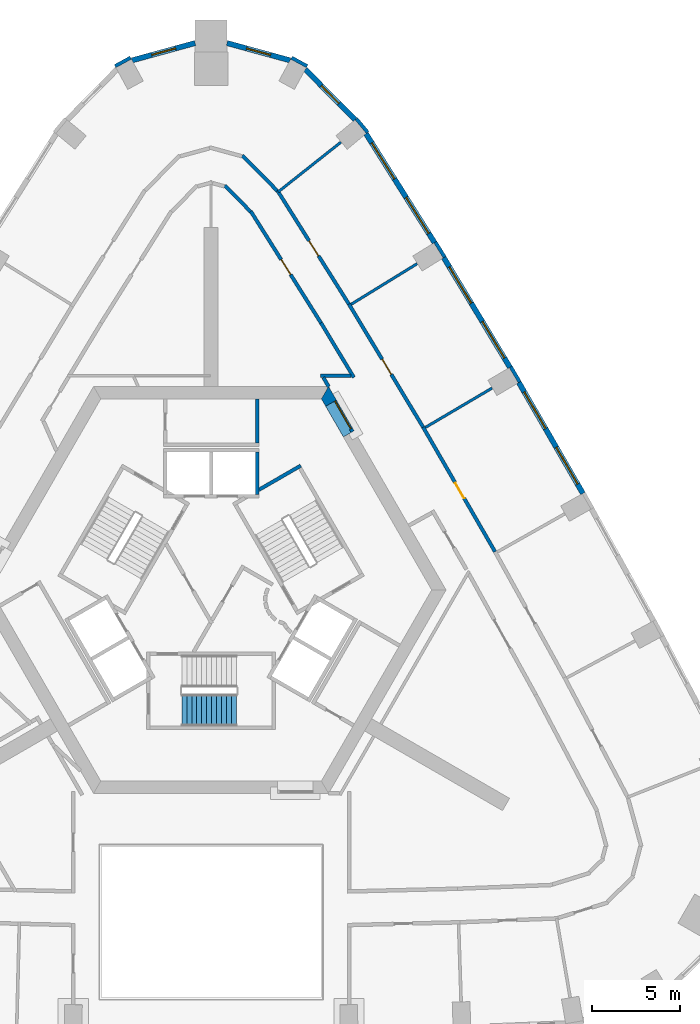
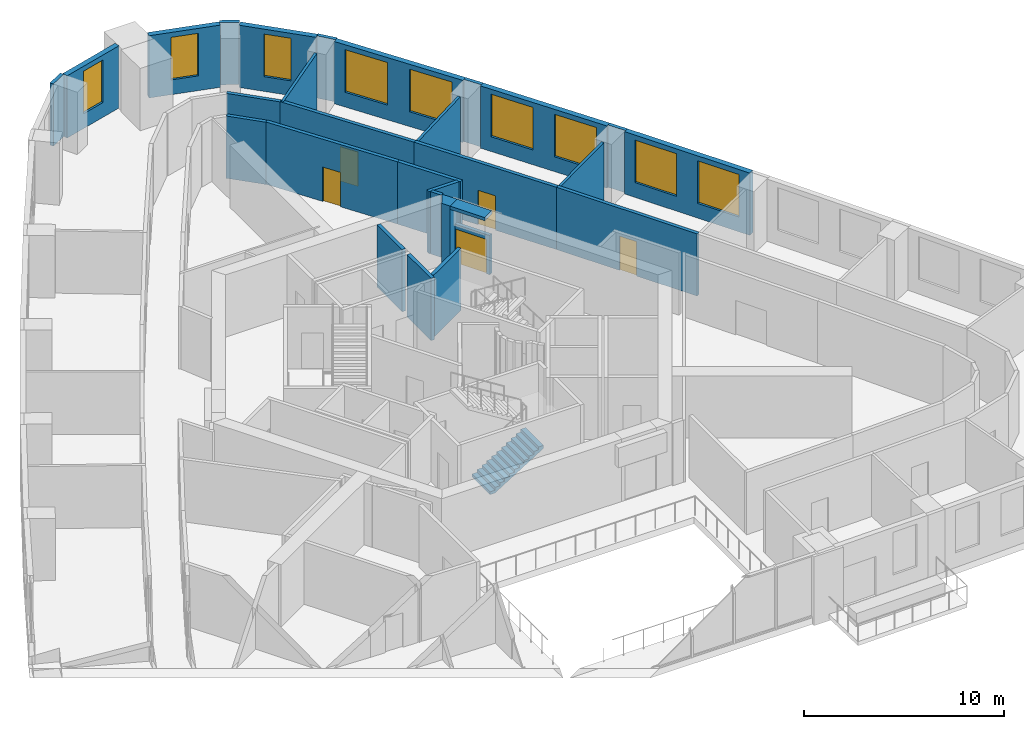
# One storey, part 9 of 11: 29 walls, 9 windows, 5 doors, 1 stair flight, 14 openings, 1 element without a shape of its own.
"""IFC4 building model written with IfcOpenShell, lengths in metres."""

from ifc_helpers import new_model, si_unit, direction, frame, frame_2d, origin, place, context, subcontext, project, spatial, polyline, rectangle, outline, extrude, material, layer, layer_set, type_object, element, fill, aggregate, save


model = new_model("IFC4")

# Units and contexts
model_context = context("Model", 3, precision=1e-05, world=origin(), true_north=direction((0.0, 1.0)))
body_context = subcontext(model_context, "Body", "Model", "MODEL_VIEW")
ifc_project = project(units=[si_unit("LENGTHUNIT", "METRE"), si_unit("AREAUNIT", "SQUARE_METRE"), si_unit("VOLUMEUNIT", "CUBIC_METRE"), si_unit("PLANEANGLEUNIT", "RADIAN"), si_unit("MASSUNIT", "GRAM", prefix="KILO")], contexts=[model_context])

# Site, building, storey
site_placement = place(None, origin())
site = spatial("IfcSite", under=ifc_project, at=site_placement, CompositionType="ELEMENT")
building_placement = place(site_placement, origin())
building = spatial("IfcBuilding", under=site, at=building_placement, Name="Entoto Arch Interchange Tower", CompositionType="ELEMENT")
storey_placement = place(building_placement, frame((0.0, 0.0, 206.60009765625)))
storey = spatial("IfcBuildingStorey", under=building, at=storey_placement, Name="L46", CompositionType="ELEMENT", Elevation=206.60009765625)

# Wall, opening, door
ifc_material_1 = material(Name="Reinforced concrete C40/50", Category="concrete")
ifc_layer_1 = layer(ifc_material_1, 0.199951171875)
ifc_layer_set_1 = layer_set([ifc_layer_1], Name="Reinforced concrete C40/50")
wall_type_1 = type_object("IfcWallType", Name="CORE GAP INFILL WALL", PredefinedType="PARTITIONING", material=ifc_layer_set_1)
wall_1_placement = place(storey_placement, frame((7.9970703125, 11.447998046875, 0.0), z_axis=(0.0, 0.0, 1.0), x_axis=(-0.50002537861, 0.866010750942, 0.0)))
wall_1 = element("IfcWall", 1, at=wall_1_placement, inside=storey, type_object=wall_type_1, Name="wall:L46:gap2", PredefinedType="PARTITIONING", context=body_context, shape_type="SweptSolid", body=[
    extrude(rectangle(XDim=2.0, YDim=0.199951171875, at=frame_2d((1.0, 0.0))), origin(), (0.0, 0.0, 1.0), 2.39990234375),
])
opening_1_placement = place(wall_1_placement, frame((0.18994140625, 0.0, 0.0)))
opening_1 = element("IfcOpeningElement", 2, at=opening_1_placement, cuts=wall_1, Name="Opening L46-D92", PredefinedType="OPENING", context=body_context, shape_type="SweptSolid", body=[
    extrude(rectangle(XDim=1.800048828125, YDim=2.10009765625, at=frame_2d((0.89990234375, 1.050048828125))), frame((0.0, 0.10986328125, 0.0), z_axis=(0.0, -1.0, 0.0), x_axis=(1.0, 0.0, 0.0)), (0.0, 0.0, 1.0), 0.219970703125),
])
ifc_material_2 = material(Name="Fire-rated Steel S235 door and frame", Category="steel")
door_type_1 = type_object("IfcDoorType", Name="DOOR FD-18 1800x2100", OperationType="DOUBLE_DOOR_SINGLE_SWING", PredefinedType="DOOR", material=ifc_material_2)
door_1_placement = place(opening_1_placement, origin())
door_1 = element("IfcDoor", 3, at=door_1_placement, inside=storey, type_object=door_type_1, Name="door:L46:gap2", OperationType="DOUBLE_DOOR_SINGLE_SWING", OverallHeight=2.10009765625, OverallWidth=1.800048828125, PredefinedType="DOOR", context=body_context, shape_type="SweptSolid", body=[
    extrude(rectangle(XDim=1.800048828125, YDim=2.10009765625, at=frame_2d((0.89990234375, 1.050048828125))), frame((0.0, 0.02490234375, 0.0), z_axis=(0.0, -1.0, 0.0), x_axis=(1.0, 0.0, 0.0)), (0.0, 0.0, 1.0), 0.050048828125),
])
fill(opening_1, door_1)

# Walls
ifc_material_3 = material(Name="Concrete C50/60", Category="concrete")
ifc_layer_2 = layer(ifc_material_3, 0.699951171875)
ifc_layer_set_2 = layer_set([ifc_layer_2], Name="Concrete C50/60")
wall_type_2 = type_object("IfcWallType", Name="Core wall 700 C50/60", PredefinedType="SHEAR", material=ifc_layer_set_2)
wall_2_placement = place(storey_placement, frame((0.0, 0.0, -0.400146484375)))
element("IfcWall", 4, at=wall_2_placement, inside=storey, type_object=wall_type_2, Name="Core wall NE L46", PredefinedType="SHEAR", context=body_context, shape_type="SweptSolid", body=[
    extrude(outline(polyline([(6.47802734375, 12.8798828125), (7.083984375, 13.22998046875), (6.639892578125, 14.0), (6.235107421875, 13.300048828125), (6.47802734375, 12.8798828125)])), origin(), (0.0, 0.0, 1.0), 4.199951171875),
])
wall_3_placement = place(storey_placement, frame((0.0, 0.0, 3.599853515625)))
element("IfcWall", 5, at=wall_3_placement, inside=storey, type_object=wall_type_2, Name="Core wall lintel NE L46", PredefinedType="SHEAR", context=body_context, shape_type="SweptSolid", body=[
    extrude(outline(polyline([(7.083984375, 13.22998046875), (6.47802734375, 12.8798828125), (7.47802734375, 11.14794921875), (8.083984375, 11.498046875), (7.083984375, 13.22998046875)])), origin(), (0.0, 0.0, 1.0), 0.199951171875),
])
ifc_material_4 = material(Name="Concrete C40/50", Category="concrete")
ifc_layer_3 = layer(ifc_material_4, 0.199951171875)
ifc_layer_set_3 = layer_set([ifc_layer_3], Name="Concrete C40/50")
wall_type_3 = type_object("IfcWallType", Name="LIFT SHAFT WALL 200", PredefinedType="STANDARD", material=ifc_layer_set_3)
wall_4_placement = place(storey_placement, frame((2.60009765625, 7.89990234375, 0.0), z_axis=(0.0, 0.0, 1.0), x_axis=(0.0, 1.0, 0.0)))
element("IfcWall", 6, at=wall_4_placement, inside=storey, type_object=wall_type_3, Name="Shaft wall N1 cross 1", PredefinedType="STANDARD", context=body_context, shape_type="SweptSolid", body=[
    extrude(rectangle(XDim=2.400146484375, YDim=0.199951171875, at=frame_2d((1.2001953125, 0.0))), origin(), (0.0, 0.0, 1.0), 3.7998046875),
])
ifc_material_5 = material(Name="Gypsum board partition on steel studs", Category="steel")
ifc_layer_4 = layer(ifc_material_5, 0.14990234375)
ifc_layer_set_4 = layer_set([ifc_layer_4], Name="Gypsum board partition on steel studs")
wall_type_4 = type_object("IfcWallType", Name="PARTITION 150", PredefinedType="PARTITIONING", material=ifc_layer_set_4)
wall_5_placement = place(storey_placement, frame((12.111083984375, 11.68408203125, 0.0), z_axis=(0.0, 0.0, 1.0), x_axis=(0.861290233547, 0.508113307833, 0.0)))
element("IfcWall", 7, at=wall_5_placement, inside=storey, type_object=wall_type_4, Name="wall:L46:p114", PredefinedType="PARTITIONING", context=body_context, shape_type="SweptSolid", body=[
    extrude(rectangle(XDim=4.380615234375, YDim=0.14990234375, at=frame_2d((2.1904296875, 0.0))), origin(), (0.0, 0.0, 1.0), 3.7998046875),
])
wall_6_placement = place(storey_placement, frame((7.916015625, 18.64404296875, 0.0), z_axis=(0.0, 0.0, 1.0), x_axis=(0.851543444049, 0.524284047914, 0.0)))
element("IfcWall", 8, at=wall_6_placement, inside=storey, type_object=wall_type_4, Name="wall:L46:p115", PredefinedType="PARTITIONING", context=body_context, shape_type="SweptSolid", body=[
    extrude(rectangle(XDim=4.379150390625, YDim=0.14990234375, at=frame_2d((2.189453125, 0.0))), origin(), (0.0, 0.0, 1.0), 3.7998046875),
])
wall_7_placement = place(storey_placement, frame((3.797119140625, 25.0029296875, 0.0), z_axis=(0.0, 0.0, 1.0), x_axis=(0.783893371826, 0.620895467536, 0.0)))
element("IfcWall", 9, at=wall_7_placement, inside=storey, type_object=wall_type_4, Name="wall:L46:p116", PredefinedType="PARTITIONING", context=body_context, shape_type="SweptSolid", body=[
    extrude(rectangle(XDim=4.514404296875, YDim=0.14990234375, at=frame_2d((2.25732421875, 0.0))), origin(), (0.0, 0.0, 1.0), 3.7998046875),
])
ifc_layer_5 = layer(ifc_material_5, 0.199951171875)
ifc_layer_set_5 = layer_set([ifc_layer_5], Name="Gypsum board partition on steel studs")
wall_type_5 = type_object("IfcWallType", Name="PARTITION 200", PredefinedType="PARTITIONING", material=ifc_layer_set_5)
wall_8_placement = place(storey_placement, frame((6.64892578125, 13.988037109375, 0.0), z_axis=(0.0, 0.0, 1.0), x_axis=(-0.499908430952, 0.866078264744, 0.0)))
element("IfcWall", 10, at=wall_8_placement, inside=storey, type_object=wall_type_5, Name="wall:L46:p005", PredefinedType="PARTITIONING", context=body_context, shape_type="SweptSolid", body=[
    extrude(rectangle(XDim=0.60595703125, YDim=0.199951171875, at=frame_2d((0.302978515625, 0.0))), origin(), (0.0, 0.0, 1.0), 3.7998046875),
])
wall_9_placement = place(storey_placement, frame((6.196044921875, 14.60009765625, 0.0), z_axis=(0.0, 0.0, 1.0), x_axis=(1.0, 0.0, 0.0)))
element("IfcWall", 11, at=wall_9_placement, inside=storey, type_object=wall_type_5, Name="wall:L46:p006", PredefinedType="PARTITIONING", context=body_context, shape_type="SweptSolid", body=[
    extrude(rectangle(XDim=1.721923828125, YDim=0.199951171875, at=frame_2d((0.86083984375, 0.0))), origin(), (0.0, 0.0, 1.0), 3.7998046875),
])
wall_10_placement = place(storey_placement, frame((8.070068359375, 14.513916015625, 0.0), z_axis=(0.0, 0.0, 1.0), x_axis=(-0.51624118739, 0.856443247648, 0.0)))
element("IfcWall", 12, at=wall_10_placement, inside=storey, type_object=wall_type_5, Name="wall:L46:p007", PredefinedType="PARTITIONING", context=body_context, shape_type="SweptSolid", body=[
    extrude(rectangle(XDim=3.597412109375, YDim=0.199951171875, at=frame_2d((1.798828125, 0.0))), origin(), (0.0, 0.0, 1.0), 3.7998046875),
])

# Wall, opening, door
wall_11_placement = place(storey_placement, frame((6.212890625, 17.594970703125, 0.0), z_axis=(0.0, 0.0, 1.0), x_axis=(-0.532527247309, 0.846412860768, 0.0)))
wall_11 = element("IfcWall", 13, at=wall_11_placement, inside=storey, type_object=wall_type_5, Name="wall:L46:p008", PredefinedType="PARTITIONING", context=body_context, shape_type="SweptSolid", body=[
    extrude(rectangle(XDim=7.448974609375, YDim=0.199951171875, at=frame_2d((3.724609375, 0.0))), origin(), (0.0, 0.0, 1.0), 3.7998046875),
])
opening_2_placement = place(wall_11_placement, frame((3.22509765625, 0.0, 0.0)))
opening_2 = element("IfcOpeningElement", 14, at=opening_2_placement, cuts=wall_11, Name="Opening L46-D17", PredefinedType="OPENING", context=body_context, shape_type="SweptSolid", body=[
    extrude(rectangle(XDim=1.0, YDim=2.10009765625, at=frame_2d((0.5, 1.050048828125))), frame((0.0, 0.10986328125, 0.0), z_axis=(0.0, -1.0, 0.0), x_axis=(1.0, 0.0, 0.0)), (0.0, 0.0, 1.0), 0.219970703125),
])
ifc_material_6 = material(Name="Timber door leaf in Steel S235 frame", Category="steel")
door_type_2 = type_object("IfcDoorType", Name="DOOR DS-10 1000x2100", OperationType="SINGLE_SWING_LEFT", PredefinedType="DOOR", material=ifc_material_6)
door_2_placement = place(opening_2_placement, origin())
door_2 = element("IfcDoor", 15, at=door_2_placement, inside=storey, type_object=door_type_2, Name="door:L46:17", OperationType="SINGLE_SWING_LEFT", OverallHeight=2.10009765625, OverallWidth=1.0, PredefinedType="DOOR", context=body_context, shape_type="SweptSolid", body=[
    extrude(rectangle(XDim=1.0, YDim=2.10009765625, at=frame_2d((0.5, 1.050048828125))), frame((0.0, 0.02490234375, 0.0), z_axis=(0.0, -1.0, 0.0), x_axis=(1.0, 0.0, 0.0)), (0.0, 0.0, 1.0), 0.050048828125),
])
fill(opening_2, door_2)

# Wall
wall_12_placement = place(storey_placement, frame((2.22900390625, 23.886962890625, 0.0), z_axis=(0.0, 0.0, 1.0), x_axis=(-0.702245482258, 0.711934886523, 0.0)))
element("IfcWall", 16, at=wall_12_placement, inside=storey, type_object=wall_type_5, Name="wall:L46:p009", PredefinedType="PARTITIONING", context=body_context, shape_type="SweptSolid", body=[
    extrude(rectangle(XDim=2.066162109375, YDim=0.199951171875, at=frame_2d((1.033203125, 0.0))), origin(), (0.0, 0.0, 1.0), 3.7998046875),
])

# Wall, opening, door
wall_13_placement = place(storey_placement, frame((11.987060546875, 11.697998046875, 0.0), z_axis=(0.0, 0.0, 1.0), x_axis=(0.500075329254, -0.865981908051, 0.0)))
wall_13 = element("IfcWall", 17, at=wall_13_placement, inside=storey, type_object=wall_type_5, Name="wall:L46:p045", PredefinedType="PARTITIONING", context=body_context, shape_type="SweptSolid", body=[
    extrude(rectangle(XDim=8.124755859375, YDim=0.199951171875, at=frame_2d((4.0625, 0.0))), origin(), (0.0, 0.0, 1.0), 3.7998046875),
])
opening_3_placement = place(wall_13_placement, frame((3.636962890625, 0.0, 0.0)))
opening_3 = element("IfcOpeningElement", 18, at=opening_3_placement, cuts=wall_13, Name="Opening L46-D06", PredefinedType="OPENING", context=body_context, shape_type="SweptSolid", body=[
    extrude(rectangle(XDim=1.0, YDim=2.10009765625, at=frame_2d((0.5, 1.050048828125))), frame((0.0, 0.10986328125, 0.0), z_axis=(0.0, -1.0, 0.0), x_axis=(1.0, 0.0, 0.0)), (0.0, 0.0, 1.0), 0.219970703125),
])
door_3_placement = place(opening_3_placement, origin())
door_3 = element("IfcDoor", 19, at=door_3_placement, inside=storey, type_object=door_type_2, Name="door:L46:06", OperationType="SINGLE_SWING_RIGHT", OverallHeight=2.10009765625, OverallWidth=1.0, PredefinedType="DOOR", context=body_context, shape_type="SweptSolid", body=[
    extrude(rectangle(XDim=1.0, YDim=2.10009765625, at=frame_2d((0.5, 1.050048828125))), frame((0.0, 0.02490234375, 0.0), z_axis=(0.0, -1.0, 0.0), x_axis=(1.0, 0.0, 0.0)), (0.0, 0.0, 1.0), 0.050048828125),
])
fill(opening_3, door_3)

wall_14_placement = place(storey_placement, frame((7.7919921875, 18.655029296875, 0.0), z_axis=(0.0, 0.0, 1.0), x_axis=(0.516293428925, -0.856411755669, 0.0)))
wall_14 = element("IfcWall", 20, at=wall_14_placement, inside=storey, type_object=wall_type_5, Name="wall:L46:p046", PredefinedType="PARTITIONING", context=body_context, shape_type="SweptSolid", body=[
    extrude(rectangle(XDim=8.12353515625, YDim=0.199951171875, at=frame_2d((4.061767578125, 0.0))), origin(), (0.0, 0.0, 1.0), 3.7998046875),
])
opening_4_placement = place(wall_14_placement, frame((3.636962890625, 0.0, 0.0)))
opening_4 = element("IfcOpeningElement", 21, at=opening_4_placement, cuts=wall_14, Name="Opening L46-D07", PredefinedType="OPENING", context=body_context, shape_type="SweptSolid", body=[
    extrude(rectangle(XDim=1.0, YDim=2.10009765625, at=frame_2d((0.5, 1.050048828125))), frame((0.0, 0.10986328125, 0.0), z_axis=(0.0, -1.0, 0.0), x_axis=(1.0, 0.0, 0.0)), (0.0, 0.0, 1.0), 0.219970703125),
])
door_4_placement = place(opening_4_placement, origin())
door_4 = element("IfcDoor", 22, at=door_4_placement, inside=storey, type_object=door_type_2, Name="door:L46:07", OperationType="SINGLE_SWING_RIGHT", OverallHeight=2.10009765625, OverallWidth=1.0, PredefinedType="DOOR", context=body_context, shape_type="SweptSolid", body=[
    extrude(rectangle(XDim=1.0, YDim=2.10009765625, at=frame_2d((0.5, 1.050048828125))), frame((0.0, 0.02490234375, 0.0), z_axis=(0.0, -1.0, 0.0), x_axis=(1.0, 0.0, 0.0)), (0.0, 0.0, 1.0), 0.050048828125),
])
fill(opening_4, door_4)

wall_15_placement = place(storey_placement, frame((3.743896484375, 25.0869140625, 0.0), z_axis=(0.0, 0.0, 1.0), x_axis=(0.532569549341, -0.846386244639, 0.0)))
wall_15 = element("IfcWall", 23, at=wall_15_placement, inside=storey, type_object=wall_type_5, Name="wall:L46:p047", PredefinedType="PARTITIONING", context=body_context, shape_type="SweptSolid", body=[
    extrude(rectangle(XDim=7.59912109375, YDim=0.199951171875, at=frame_2d((3.799560546875, 0.0))), origin(), (0.0, 0.0, 1.0), 3.7998046875),
])
opening_5_placement = place(wall_15_placement, frame((3.375, 0.0, 0.0)))
opening_5 = element("IfcOpeningElement", 24, at=opening_5_placement, cuts=wall_15, Name="Opening L46-D08", PredefinedType="OPENING", context=body_context, shape_type="SweptSolid", body=[
    extrude(rectangle(XDim=1.0, YDim=2.10009765625, at=frame_2d((0.5, 1.050048828125))), frame((0.0, 0.10986328125, 0.0), z_axis=(0.0, -1.0, 0.0), x_axis=(1.0, 0.0, 0.0)), (0.0, 0.0, 1.0), 0.219970703125),
])
door_5_placement = place(opening_5_placement, origin())
door_5 = element("IfcDoor", 25, at=door_5_placement, inside=storey, type_object=door_type_2, Name="door:L46:08", OperationType="SINGLE_SWING_LEFT", OverallHeight=2.10009765625, OverallWidth=1.0, PredefinedType="DOOR", context=body_context, shape_type="SweptSolid", body=[
    extrude(rectangle(XDim=1.0, YDim=2.10009765625, at=frame_2d((0.5, 1.050048828125))), frame((0.0, 0.02490234375, 0.0), z_axis=(0.0, -1.0, 0.0), x_axis=(1.0, 0.0, 0.0)), (0.0, 0.0, 1.0), 0.050048828125),
])
fill(opening_5, door_5)

# Walls
wall_16_placement = place(storey_placement, frame((1.77294921875, 27.055908203125, 0.0), z_axis=(0.0, 0.0, 1.0), x_axis=(0.702089218366, -0.712088989842, 0.0)))
element("IfcWall", 26, at=wall_16_placement, inside=storey, type_object=wall_type_5, Name="wall:L46:p052", PredefinedType="PARTITIONING", context=body_context, shape_type="SweptSolid", body=[
    extrude(rectangle(XDim=2.783203125, YDim=0.199951171875, at=frame_2d((1.3916015625, 0.0))), origin(), (0.0, 0.0, 1.0), 3.7998046875),
])
wall_17_placement = place(storey_placement, frame((2.60009765625, 13.300048828125, 0.0), z_axis=(0.0, 0.0, 1.0), x_axis=(0.0, -1.0, 0.0)))
element("IfcWall", 27, at=wall_17_placement, inside=storey, type_object=wall_type_5, Name="wall:L46:p067", PredefinedType="PARTITIONING", context=body_context, shape_type="SweptSolid", body=[
    extrude(rectangle(XDim=2.5, YDim=0.199951171875, at=frame_2d((1.25, 0.0))), origin(), (0.0, 0.0, 1.0), 3.7998046875),
])
ifc_layer_6 = layer(ifc_material_4, 0.199951171875)
ifc_layer_set_6 = layer_set([ifc_layer_6], Name="Concrete C40/50")
wall_type_6 = type_object("IfcWallType", Name="STAIR ENCLOSURE WALL 200", PredefinedType="STANDARD", material=ifc_layer_set_6)
wall_18_placement = place(storey_placement, frame((2.699951171875, 8.157958984375, 0.0), z_axis=(0.0, 0.0, 1.0), x_axis=(0.86611865017, 0.499838457731, 0.0)))
element("IfcWall", 28, at=wall_18_placement, inside=storey, type_object=wall_type_6, Name="Stair wall ST-NE far", PredefinedType="STANDARD", context=body_context, shape_type="SweptSolid", body=[
    extrude(rectangle(XDim=2.73291015625, YDim=0.199951171875, at=frame_2d((1.366455078125, 0.0))), origin(), (0.0, 0.0, 1.0), 3.7998046875),
])

# Wall, openings, windows
ifc_material_7 = material(Name="Welded tuff (ignimbrite) cladding, warm buff", Category="masonry")
ifc_layer_7 = layer(ifc_material_7, 0.300048828125)
ifc_layer_set_7 = layer_set([ifc_layer_7], Name="Welded tuff (ignimbrite) cladding, warm buff")
wall_type_7 = type_object("IfcWallType", Name="STONE INFILL WALL 300", PredefinedType="STANDARD", material=ifc_layer_set_7)
wall_19_placement = place(storey_placement, frame((21.01904296875, 7.955078125, 0.0), z_axis=(0.0, 0.0, 1.0), x_axis=(-0.500012402131, 0.866018243292, 0.0)))
wall_19 = element("IfcWall", 29, at=wall_19_placement, inside=storey, type_object=wall_type_7, Name="Facade wall NE-03 L46", PredefinedType="STANDARD", context=body_context, shape_type="SweptSolid", body=[
    extrude(rectangle(XDim=7.239990234375, YDim=0.300048828125, at=frame_2d((3.6201171875, 0.0))), origin(), (0.0, 0.0, 1.0), 3.7998046875),
])
opening_6_placement = place(wall_19_placement, frame((0.610107421875, 0.0, 0.89990234375)))
opening_6 = element("IfcOpeningElement", 30, at=opening_6_placement, cuts=wall_19, Name="Opening WO-A", PredefinedType="OPENING", context=body_context, shape_type="SweptSolid", body=[
    extrude(rectangle(XDim=2.39990234375, YDim=2.60009765625, at=frame_2d((1.199951171875, 1.300048828125))), frame((0.0, 0.16015625, 0.0), z_axis=(0.0, -1.0, 0.0), x_axis=(1.0, 0.0, 0.0)), (0.0, 0.0, 1.0), 0.320068359375),
])
opening_7_placement = place(wall_19_placement, frame((4.22998046875, 0.0, 0.89990234375)))
opening_7 = element("IfcOpeningElement", 31, at=opening_7_placement, cuts=wall_19, Name="Opening WO-A", PredefinedType="OPENING", context=body_context, shape_type="SweptSolid", body=[
    extrude(rectangle(XDim=2.39990234375, YDim=2.60009765625, at=frame_2d((1.199951171875, 1.300048828125))), frame((0.0, 0.16015625, 0.0), z_axis=(0.0, -1.0, 0.0), x_axis=(1.0, 0.0, 0.0)), (0.0, 0.0, 1.0), 0.320068359375),
])
ifc_material_8 = material(Name="Clear glass, low-e double glazed", Category="glass")
window_type_1 = type_object("IfcWindowType", Name="WINDOW WO-A 2400x2600", PartitioningType="DOUBLE_PANEL_VERTICAL", PredefinedType="WINDOW", material=ifc_material_8)
window_1_placement = place(opening_6_placement, origin())
window_1 = element("IfcWindow", 32, at=window_1_placement, inside=storey, type_object=window_type_1, Name="Window WO-A NE-03 L46", OverallHeight=2.60009765625, OverallWidth=2.39990234375, PartitioningType="SINGLE_PANEL", PredefinedType="WINDOW", context=body_context, shape_type="SweptSolid", body=[
    extrude(rectangle(XDim=2.39990234375, YDim=2.60009765625, at=frame_2d((1.199951171875, 1.300048828125))), frame((0.0, 0.030029296875, 0.0), z_axis=(0.0, -1.0, 0.0), x_axis=(1.0, 0.0, 0.0)), (0.0, 0.0, 1.0), 0.06005859375),
])
fill(opening_6, window_1)
window_2_placement = place(opening_7_placement, origin())
window_2 = element("IfcWindow", 33, at=window_2_placement, inside=storey, type_object=window_type_1, Name="Window WO-A NE-03 L46", OverallHeight=2.60009765625, OverallWidth=2.39990234375, PartitioningType="SINGLE_PANEL", PredefinedType="WINDOW", context=body_context, shape_type="SweptSolid", body=[
    extrude(rectangle(XDim=2.39990234375, YDim=2.60009765625, at=frame_2d((1.199951171875, 1.300048828125))), frame((0.0, 0.030029296875, 0.0), z_axis=(0.0, -1.0, 0.0), x_axis=(1.0, 0.0, 0.0)), (0.0, 0.0, 1.0), 0.06005859375),
])
fill(opening_7, window_2)

wall_20_placement = place(storey_placement, frame((16.89208984375, 15.083984375, 0.0), z_axis=(0.0, 0.0, 1.0), x_axis=(-0.516230553484, 0.856449657394, 0.0)))
wall_20 = element("IfcWall", 34, at=wall_20_placement, inside=storey, type_object=wall_type_7, Name="Facade wall NE-04 L46", PredefinedType="STANDARD", context=body_context, shape_type="SweptSolid", body=[
    extrude(rectangle(XDim=7.239013671875, YDim=0.300048828125, at=frame_2d((3.61962890625, 0.0))), origin(), (0.0, 0.0, 1.0), 3.7998046875),
])
opening_8_placement = place(wall_20_placement, frame((0.610107421875, 0.0, 0.89990234375)))
opening_8 = element("IfcOpeningElement", 35, at=opening_8_placement, cuts=wall_20, Name="Opening WO-A", PredefinedType="OPENING", context=body_context, shape_type="SweptSolid", body=[
    extrude(rectangle(XDim=2.39990234375, YDim=2.60009765625, at=frame_2d((1.199951171875, 1.300048828125))), frame((0.0, 0.16015625, 0.0), z_axis=(0.0, -1.0, 0.0), x_axis=(1.0, 0.0, 0.0)), (0.0, 0.0, 1.0), 0.320068359375),
])
opening_9_placement = place(wall_20_placement, frame((4.22900390625, 0.0, 0.89990234375)))
opening_9 = element("IfcOpeningElement", 36, at=opening_9_placement, cuts=wall_20, Name="Opening WO-A", PredefinedType="OPENING", context=body_context, shape_type="SweptSolid", body=[
    extrude(rectangle(XDim=2.39990234375, YDim=2.60009765625, at=frame_2d((1.199951171875, 1.300048828125))), frame((0.0, 0.16015625, 0.0), z_axis=(0.0, -1.0, 0.0), x_axis=(1.0, 0.0, 0.0)), (0.0, 0.0, 1.0), 0.320068359375),
])
window_3_placement = place(opening_8_placement, origin())
window_3 = element("IfcWindow", 37, at=window_3_placement, inside=storey, type_object=window_type_1, Name="Window WO-A NE-04 L46", OverallHeight=2.60009765625, OverallWidth=2.39990234375, PartitioningType="SINGLE_PANEL", PredefinedType="WINDOW", context=body_context, shape_type="SweptSolid", body=[
    extrude(rectangle(XDim=2.39990234375, YDim=2.60009765625, at=frame_2d((1.199951171875, 1.300048828125))), frame((0.0, 0.030029296875, 0.0), z_axis=(0.0, -1.0, 0.0), x_axis=(1.0, 0.0, 0.0)), (0.0, 0.0, 1.0), 0.06005859375),
])
fill(opening_8, window_3)
window_4_placement = place(opening_9_placement, origin())
window_4 = element("IfcWindow", 38, at=window_4_placement, inside=storey, type_object=window_type_1, Name="Window WO-A NE-04 L46", OverallHeight=2.60009765625, OverallWidth=2.39990234375, PartitioningType="SINGLE_PANEL", PredefinedType="WINDOW", context=body_context, shape_type="SweptSolid", body=[
    extrude(rectangle(XDim=2.39990234375, YDim=2.60009765625, at=frame_2d((1.199951171875, 1.300048828125))), frame((0.0, 0.030029296875, 0.0), z_axis=(0.0, -1.0, 0.0), x_axis=(1.0, 0.0, 0.0)), (0.0, 0.0, 1.0), 0.06005859375),
])
fill(opening_9, window_4)

wall_21_placement = place(storey_placement, frame((12.632080078125, 22.134033203125, 0.0), z_axis=(0.0, 0.0, 1.0), x_axis=(-0.532522107002, 0.84641609481, 0.0)))
wall_21 = element("IfcWall", 39, at=wall_21_placement, inside=storey, type_object=wall_type_7, Name="Facade wall NE-05 L46", PredefinedType="STANDARD", context=body_context, shape_type="SweptSolid", body=[
    extrude(rectangle(XDim=7.27294921875, YDim=0.300048828125, at=frame_2d((3.636474609375, 0.0))), origin(), (0.0, 0.0, 1.0), 3.7998046875),
])
opening_10_placement = place(wall_21_placement, frame((0.617919921875, 0.0, 0.89990234375)))
opening_10 = element("IfcOpeningElement", 40, at=opening_10_placement, cuts=wall_21, Name="Opening WO-A", PredefinedType="OPENING", context=body_context, shape_type="SweptSolid", body=[
    extrude(rectangle(XDim=2.39990234375, YDim=2.60009765625, at=frame_2d((1.199951171875, 1.300048828125))), frame((0.0, 0.16015625, 0.0), z_axis=(0.0, -1.0, 0.0), x_axis=(1.0, 0.0, 0.0)), (0.0, 0.0, 1.0), 0.320068359375),
])
opening_11_placement = place(wall_21_placement, frame((4.2548828125, 0.0, 0.89990234375)))
opening_11 = element("IfcOpeningElement", 41, at=opening_11_placement, cuts=wall_21, Name="Opening WO-A", PredefinedType="OPENING", context=body_context, shape_type="SweptSolid", body=[
    extrude(rectangle(XDim=2.39990234375, YDim=2.60009765625, at=frame_2d((1.199951171875, 1.300048828125))), frame((0.0, 0.16015625, 0.0), z_axis=(0.0, -1.0, 0.0), x_axis=(1.0, 0.0, 0.0)), (0.0, 0.0, 1.0), 0.320068359375),
])
window_5_placement = place(opening_10_placement, origin())
window_5 = element("IfcWindow", 42, at=window_5_placement, inside=storey, type_object=window_type_1, Name="Window WO-A NE-05 L46", OverallHeight=2.60009765625, OverallWidth=2.39990234375, PartitioningType="SINGLE_PANEL", PredefinedType="WINDOW", context=body_context, shape_type="SweptSolid", body=[
    extrude(rectangle(XDim=2.39990234375, YDim=2.60009765625, at=frame_2d((1.199951171875, 1.300048828125))), frame((0.0, 0.030029296875, 0.0), z_axis=(0.0, -1.0, 0.0), x_axis=(1.0, 0.0, 0.0)), (0.0, 0.0, 1.0), 0.06005859375),
])
fill(opening_10, window_5)
window_6_placement = place(opening_11_placement, origin())
window_6 = element("IfcWindow", 43, at=window_6_placement, inside=storey, type_object=window_type_1, Name="Window WO-A NE-05 L46", OverallHeight=2.60009765625, OverallWidth=2.39990234375, PartitioningType="SINGLE_PANEL", PredefinedType="WINDOW", context=body_context, shape_type="SweptSolid", body=[
    extrude(rectangle(XDim=2.39990234375, YDim=2.60009765625, at=frame_2d((1.199951171875, 1.300048828125))), frame((0.0, 0.030029296875, 0.0), z_axis=(0.0, -1.0, 0.0), x_axis=(1.0, 0.0, 0.0)), (0.0, 0.0, 1.0), 0.06005859375),
])
fill(opening_11, window_6)

# Wall, opening, window
wall_22_placement = place(storey_placement, frame((8.138916015625, 29.072998046875, 0.0), z_axis=(0.0, 0.0, 1.0), x_axis=(-0.70209072612, 0.712087503258, 0.0)))
wall_22 = element("IfcWall", 44, at=wall_22_placement, inside=storey, type_object=wall_type_7, Name="Facade wall N-01 L46", PredefinedType="STANDARD", context=body_context, shape_type="SweptSolid", body=[
    extrude(rectangle(XDim=4.005126953125, YDim=0.300048828125, at=frame_2d((2.00244140625, 0.0))), origin(), (0.0, 0.0, 1.0), 3.7998046875),
])
opening_12_placement = place(wall_22_placement, frame((1.302978515625, 0.0, 0.89990234375)))
opening_12 = element("IfcOpeningElement", 45, at=opening_12_placement, cuts=wall_22, Name="Opening WO-B", PredefinedType="OPENING", context=body_context, shape_type="SweptSolid", body=[
    extrude(rectangle(XDim=1.39990234375, YDim=2.60009765625, at=frame_2d((0.699951171875, 1.300048828125))), frame((0.0, 0.16015625, 0.0), z_axis=(0.0, -1.0, 0.0), x_axis=(1.0, 0.0, 0.0)), (0.0, 0.0, 1.0), 0.320068359375),
])
window_type_2 = type_object("IfcWindowType", Name="WINDOW WO-B 1400x2600", PartitioningType="DOUBLE_PANEL_VERTICAL", PredefinedType="WINDOW", material=ifc_material_8)
window_7_placement = place(opening_12_placement, origin())
window_7 = element("IfcWindow", 46, at=window_7_placement, inside=storey, type_object=window_type_2, Name="Window WO-B N-01 L46", OverallHeight=2.60009765625, OverallWidth=1.39990234375, PartitioningType="SINGLE_PANEL", PredefinedType="WINDOW", context=body_context, shape_type="SweptSolid", body=[
    extrude(rectangle(XDim=1.39990234375, YDim=2.60009765625, at=frame_2d((0.699951171875, 1.300048828125))), frame((0.0, 0.030029296875, 0.0), z_axis=(0.0, -1.0, 0.0), x_axis=(1.0, 0.0, 0.0)), (0.0, 0.0, 1.0), 0.06005859375),
])
fill(opening_12, window_7)

wall_23_placement = place(storey_placement, frame((4.468017578125, 32.43408203125, 0.0), z_axis=(0.0, 0.0, 1.0), x_axis=(-0.964377639434, 0.264529334026, 0.0)))
wall_23 = element("IfcWall", 47, at=wall_23_placement, inside=storey, type_object=wall_type_7, Name="Facade wall N-02 L46", PredefinedType="STANDARD", context=body_context, shape_type="SweptSolid", body=[
    extrude(rectangle(XDim=3.700927734375, YDim=0.300048828125, at=frame_2d((1.8505859375, 0.0))), origin(), (0.0, 0.0, 1.0), 3.7998046875),
])
opening_13_placement = place(wall_23_placement, frame((1.14990234375, 0.0, 0.89990234375)))
opening_13 = element("IfcOpeningElement", 48, at=opening_13_placement, cuts=wall_23, Name="Opening WO-B", PredefinedType="OPENING", context=body_context, shape_type="SweptSolid", body=[
    extrude(rectangle(XDim=1.39990234375, YDim=2.60009765625, at=frame_2d((0.699951171875, 1.300048828125))), frame((0.0, 0.16015625, 0.0), z_axis=(0.0, -1.0, 0.0), x_axis=(1.0, 0.0, 0.0)), (0.0, 0.0, 1.0), 0.320068359375),
])
window_8_placement = place(opening_13_placement, origin())
window_8 = element("IfcWindow", 49, at=window_8_placement, inside=storey, type_object=window_type_2, Name="Window WO-B N-02 L46", OverallHeight=2.60009765625, OverallWidth=1.39990234375, PartitioningType="SINGLE_PANEL", PredefinedType="WINDOW", context=body_context, shape_type="SweptSolid", body=[
    extrude(rectangle(XDim=1.39990234375, YDim=2.60009765625, at=frame_2d((0.699951171875, 1.300048828125))), frame((0.0, 0.030029296875, 0.0), z_axis=(0.0, -1.0, 0.0), x_axis=(1.0, 0.0, 0.0)), (0.0, 0.0, 1.0), 0.06005859375),
])
fill(opening_13, window_8)

wall_24_placement = place(storey_placement, frame((-0.89892578125, 33.4130859375, 0.0), z_axis=(0.0, 0.0, 1.0), x_axis=(-0.964377639434, -0.264529334026, 0.0)))
wall_24 = element("IfcWall", 50, at=wall_24_placement, inside=storey, type_object=wall_type_7, Name="Facade wall N-03 L46", PredefinedType="STANDARD", context=body_context, shape_type="SweptSolid", body=[
    extrude(rectangle(XDim=3.700927734375, YDim=0.300048828125, at=frame_2d((1.8505859375, 0.0))), origin(), (0.0, 0.0, 1.0), 3.7998046875),
])
opening_14_placement = place(wall_24_placement, frame((1.14990234375, 0.0, 0.89990234375)))
opening_14 = element("IfcOpeningElement", 51, at=opening_14_placement, cuts=wall_24, Name="Opening WO-B", PredefinedType="OPENING", context=body_context, shape_type="SweptSolid", body=[
    extrude(rectangle(XDim=1.39990234375, YDim=2.60009765625, at=frame_2d((0.699951171875, 1.300048828125))), frame((0.0, 0.16015625, 0.0), z_axis=(0.0, -1.0, 0.0), x_axis=(1.0, 0.0, 0.0)), (0.0, 0.0, 1.0), 0.320068359375),
])
window_9_placement = place(opening_14_placement, origin())
window_9 = element("IfcWindow", 52, at=window_9_placement, inside=storey, type_object=window_type_2, Name="Window WO-B N-03 L46", OverallHeight=2.60009765625, OverallWidth=1.39990234375, PartitioningType="SINGLE_PANEL", PredefinedType="WINDOW", context=body_context, shape_type="SweptSolid", body=[
    extrude(rectangle(XDim=1.39990234375, YDim=2.60009765625, at=frame_2d((0.699951171875, 1.300048828125))), frame((0.0, 0.030029296875, 0.0), z_axis=(0.0, -1.0, 0.0), x_axis=(1.0, 0.0, 0.0)), (0.0, 0.0, 1.0), 0.06005859375),
])
fill(opening_14, window_9)

# Walls
ifc_layer_8 = layer(ifc_material_7, 0.199951171875)
ifc_layer_set_8 = layer_set([ifc_layer_8], Name="Welded tuff (ignimbrite) cladding, warm buff")
wall_type_8 = type_object("IfcWallType", Name="STONE PIER CLADDING 200", PredefinedType="STANDARD", material=ifc_layer_set_8)
for number, where, z_axis, x_axis, name in (
    (53, (5.427001953125, 32.10693359375, 0.0), (0.0, 0.0, 1.0), (-0.878250009632, 0.478201757191, 0.0), "Stone pier N1 L46"),
    (54, (-4.549072265625, 32.5849609375, 0.0), (0.0, 0.0, 1.0), (-0.878250009632, -0.478201757191, 0.0), "Stone pier N3 L46"),
    (55, (17.447021484375, 14.251953125, 0.0), (0.0, 0.0, 1.0), (-0.508161541526, 0.861261776531, 0.0), "Stone pier NE04 L46"),
):
    element("IfcWall", number, at=place(storey_placement, frame(where, z_axis=z_axis, x_axis=x_axis)), inside=storey, type_object=wall_type_8, Name=name, PredefinedType="STANDARD", context=body_context, shape_type="SweptSolid", body=[
        extrude(rectangle(XDim=0.999755859375, YDim=0.199951171875, at=frame_2d((0.5, 0.0))), origin(), (0.0, 0.0, 1.0), 3.7998046875),
    ])
wall_25_placement = place(storey_placement, frame((13.202880859375, 21.31201171875, 0.0), z_axis=(0.0, 0.0, 1.0), x_axis=(-0.525648735675, 0.850701714282, 0.0)))
element("IfcWall", 56, at=wall_25_placement, inside=storey, type_object=wall_type_8, Name="Stone pier NE05 L46", PredefinedType="STANDARD", context=body_context, shape_type="SweptSolid", body=[
    extrude(rectangle(XDim=1.00048828125, YDim=0.199951171875, at=frame_2d((0.500244140625, 0.0))), origin(), (0.0, 0.0, 1.0), 3.7998046875),
])
wall_26_placement = place(storey_placement, frame((8.84912109375, 28.364013671875, 0.0), z_axis=(0.0, 0.0, 1.0), x_axis=(-0.638117112481, 0.769939316283, 0.0)))
element("IfcWall", 57, at=wall_26_placement, inside=storey, type_object=wall_type_8, Name="Stone pier NE06 L46", PredefinedType="STANDARD", context=body_context, shape_type="SweptSolid", body=[
    extrude(rectangle(XDim=1.0, YDim=0.199951171875, at=frame_2d((0.5, 0.0))), origin(), (0.0, 0.0, 1.0), 3.7998046875),
])

# Stair, stair flight
stair_type = type_object("IfcStairType", Name="EXIT STAIR RC 1800", PredefinedType="HALF_TURN_STAIR", material=ifc_material_4)
stair_placement = place(storey_placement, origin())
stair = element("IfcStair", 58, at=stair_placement, inside=storey, type_object=stair_type, Name="L46 Exit stair S", PredefinedType="HALF_TURN_STAIR")
stair_flight_type = type_object("IfcStairFlightType", Name="EXIT STAIR FLIGHT RC 1800", PredefinedType="STRAIGHT", material=ifc_material_4)
stair_flight_placement = place(storey_placement, frame((-1.64990234375, -4.300048828125, 0.0), z_axis=(0.0, 0.0, 1.0), x_axis=(1.0, 0.0, 0.0)))
stair_flight = element("IfcStairFlight", 59, at=stair_flight_placement, type_object=stair_flight_type, Name="ST-S flight 1", NumberOfRisers=12, NumberOfTreads=11, PredefinedType="STRAIGHT", RiserHeight=0.175, TreadLength=0.28, context=body_context, shape_type="SweptSolid", body=[
    extrude(outline(polyline([(-0.0029296875, 0.0), (-0.0029296875, 0.175048828125), (0.280029296875, 0.175048828125), (0.280029296875, 0.35009765625), (0.56005859375, 0.35009765625), (0.56005859375, 0.52490234375), (0.840087890625, 0.52490234375), (0.840087890625, 0.699951171875), (1.1201171875, 0.699951171875), (1.1201171875, 0.875), (1.39990234375, 0.875), (1.39990234375, 1.050048828125), (1.679931640625, 1.050048828125), (1.679931640625, 1.22509765625), (1.9599609375, 1.22509765625), (1.9599609375, 1.39990234375), (2.239990234375, 1.39990234375), (2.239990234375, 1.574951171875), (2.52001953125, 1.574951171875), (2.52001953125, 1.75), (2.800048828125, 1.75), (2.800048828125, 1.925048828125), (3.080078125, 1.925048828125), (3.0830078125, 1.925048828125), (3.0830078125, 1.75), (0.28271484375, 0.0), (-0.0029296875, 0.0)])), frame((0.0, 0.89990234375, 0.0), z_axis=(0.0, -1.0, 0.0), x_axis=(1.0, 0.0, 0.0)), (0.0, 0.0, 1.0), 1.800048828125),
])
aggregate(stair, [stair_flight])

save(model, "model.ifc")
